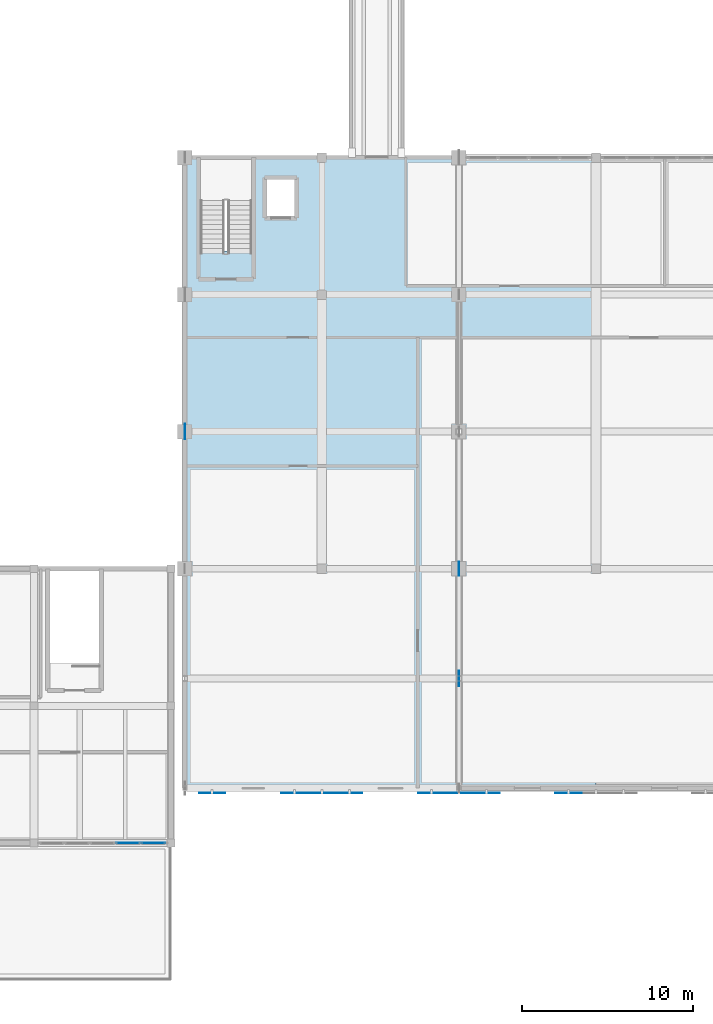
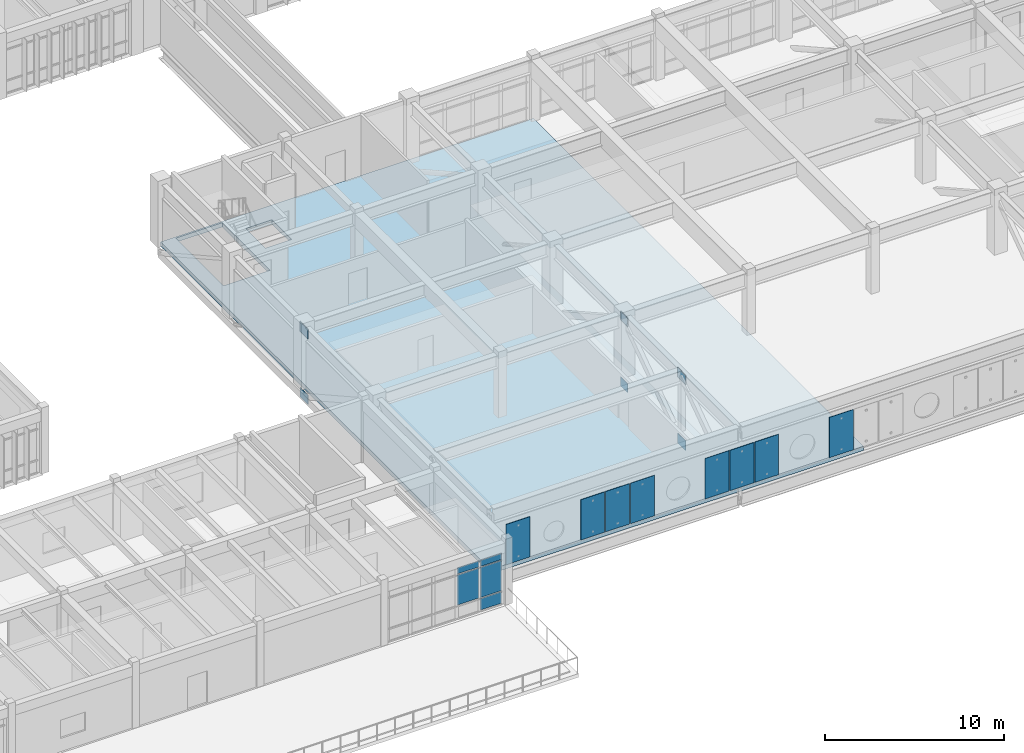
# One storey, part 35 of 79: 19 plates, 1 slab, 1 element without a shape of its own.
"""IFC4 building model written with IfcOpenShell, lengths in metres."""

from ifc_helpers import new_model, si_unit, direction, frame, origin, origin_2d, place, context, subcontext, project, spatial, polyline, rectangle, outline, extrude, material, layer, layer_set, type_object, element, aggregate, save


model = new_model("IFC4")

# Units and contexts
model_context = context("Model", 3, precision=1e-05, world=origin(), true_north=direction((0.0, 1.0)))
body_context = subcontext(model_context, "Body", "Model", "MODEL_VIEW")
ifc_project = project(units=[si_unit("LENGTHUNIT", "METRE"), si_unit("AREAUNIT", "SQUARE_METRE"), si_unit("VOLUMEUNIT", "CUBIC_METRE"), si_unit("PLANEANGLEUNIT", "RADIAN"), si_unit("MASSUNIT", "GRAM", prefix="KILO")], contexts=[model_context])

# Site, building, storey
site_placement = place(None, origin())
site = spatial("IfcSite", under=ifc_project, at=site_placement, CompositionType="ELEMENT")
building_placement = place(site_placement, origin())
building = spatial("IfcBuilding", under=site, at=building_placement, Name="Tlaxcora Railside Police Headquarters", CompositionType="ELEMENT")
storey_placement = place(building_placement, frame((0.0, 0.0, 9.0)))
storey = spatial("IfcBuildingStorey", under=building, at=storey_placement, Name="L02", CompositionType="ELEMENT", Elevation=9.0)

# Curtain wall, plates
ifc_material_1 = material(Name="Thermally broken low-E insulated glazing", Category="glass")
curtain_wall_type = type_object("IfcCurtainWallType", Name="Unitised Curtain Wall Assembly CW-23", PredefinedType="NOTDEFINED", material=ifc_material_1)
curtain_wall_placement = place(storey_placement, origin())
curtain_wall = element("IfcCurtainWall", 1, at=curtain_wall_placement, inside=storey, type_object=curtain_wall_type, Name="V4 L02 curtain wall 28", PredefinedType="NOTDEFINED")
ifc_layer_1 = layer(ifc_material_1, 0.0400390625, Name="Thermally broken low-E insulated glazing")
ifc_layer_set_1 = layer_set([ifc_layer_1], Name="Thermally broken low-E insulated glazing")
plate_type_1 = type_object("IfcPlateType", Name="Curtain Wall Infill Panel CW-17", PredefinedType="CURTAIN_PANEL", material=ifc_layer_set_1)
plate_1_placement = place(storey_placement, frame((42.68994140625, 20.0, 0.93994140625), z_axis=(0.0, 0.0, 1.0), x_axis=(1.0, 0.0, 0.0)))
plate_1 = element("IfcPlate", 2, at=plate_1_placement, type_object=plate_type_1, Name="CW panel 4.2", PredefinedType="CURTAIN_PANEL", context=body_context, shape_type="SweptSolid", body=[
    extrude(rectangle(XDim=1.409912109375, YDim=0.0400390625, at=origin_2d()), origin(), (0.0, 0.0, 1.0), 2.0400390625),
])
plate_2_placement = place(storey_placement, frame((42.68994140625, 20.0, 3.06005859375), z_axis=(0.0, 0.0, 1.0), x_axis=(1.0, 0.0, 0.0)))
plate_2 = element("IfcPlate", 3, at=plate_2_placement, type_object=plate_type_1, Name="CW panel 4.3", PredefinedType="CURTAIN_PANEL", context=body_context, shape_type="SweptSolid", body=[
    extrude(rectangle(XDim=1.409912109375, YDim=0.0400390625, at=origin_2d()), origin(), (0.0, 0.0, 1.0), 0.409912109375),
])
plate_3_placement = place(storey_placement, frame((44.159912109375, 20.0, 0.080078125), z_axis=(0.0, 0.0, 1.0), x_axis=(1.0, 0.0, 0.0)))
plate_3 = element("IfcPlate", 4, at=plate_3_placement, type_object=plate_type_1, Name="CW panel 5.1", PredefinedType="CURTAIN_PANEL", context=body_context, shape_type="SweptSolid", body=[
    extrude(rectangle(XDim=1.3701171875, YDim=0.0400390625, at=origin_2d()), origin(), (0.0, 0.0, 1.0), 0.780029296875),
])
plate_4_placement = place(storey_placement, frame((44.159912109375, 20.0, 0.93994140625), z_axis=(0.0, 0.0, 1.0), x_axis=(1.0, 0.0, 0.0)))
plate_4 = element("IfcPlate", 5, at=plate_4_placement, type_object=plate_type_1, Name="CW panel 5.2", PredefinedType="CURTAIN_PANEL", context=body_context, shape_type="SweptSolid", body=[
    extrude(rectangle(XDim=1.3701171875, YDim=0.0400390625, at=origin_2d()), origin(), (0.0, 0.0, 1.0), 2.0400390625),
])
plate_5_placement = place(storey_placement, frame((44.159912109375, 20.0, 3.06005859375), z_axis=(0.0, 0.0, 1.0), x_axis=(1.0, 0.0, 0.0)))
plate_5 = element("IfcPlate", 6, at=plate_5_placement, type_object=plate_type_1, Name="CW panel 5.3", PredefinedType="CURTAIN_PANEL", context=body_context, shape_type="SweptSolid", body=[
    extrude(rectangle(XDim=1.3701171875, YDim=0.0400390625, at=origin_2d()), origin(), (0.0, 0.0, 1.0), 0.409912109375),
])
aggregate(curtain_wall, [plate_1, plate_2, plate_3, plate_4, plate_5])

# Plates
ifc_material_2 = material(Name="Bronze-anodised perforated aluminium sheet", Category="aluminium")
ifc_layer_2 = layer(ifc_material_2, 0.02197265625, Name="Bronze-anodised perforated aluminium sheet")
ifc_layer_set_2 = layer_set([ifc_layer_2], Name="Bronze-anodised perforated aluminium sheet")
plate_type_2 = type_object("IfcPlateType", Name="Perforated Metal Screen Panel SC-25", PredefinedType="SHEET", material=ifc_layer_set_2)
for number, where, z_axis, x_axis, name in (
    (7, (47.60009765625, 22.907470703125, 0.22509765625), (0.0, 0.0, 1.0), (1.0, 0.0, 0.0), "Cosmic perforated bronze screen SCR-V2-L02-0-0"),
    (8, (52.39990234375, 22.907470703125, 0.22509765625), (0.0, 0.0, 1.0), (1.0, 0.0, 0.0), "Cosmic perforated bronze screen SCR-V2-L02-0-3"),
    (9, (54.0, 22.907470703125, 0.22509765625), (0.0, 0.0, 1.0), (1.0, 0.0, 0.0), "Cosmic perforated bronze screen SCR-V2-L02-0-4"),
    (10, (55.60009765625, 22.907470703125, 0.22509765625), (0.0, 0.0, 1.0), (1.0, 0.0, 0.0), "Cosmic perforated bronze screen SCR-V2-L02-0-5"),
    (11, (60.39990234375, 22.907470703125, 0.22509765625), (0.0, 0.0, 1.0), (1.0, 0.0, 0.0), "Cosmic perforated bronze screen SCR-V2-L02-0-8"),
    (12, (62.0, 22.907470703125, 0.22509765625), (0.0, 0.0, 1.0), (1.0, 0.0, 0.0), "Cosmic perforated bronze screen SCR-V2-L02-0-9"),
    (13, (63.60009765625, 22.907470703125, 0.22509765625), (0.0, 0.0, 1.0), (1.0, 0.0, 0.0), "Cosmic perforated bronze screen SCR-V2-L02-0-10"),
    (14, (68.39990234375, 22.907470703125, 0.22509765625), (0.0, 0.0, 1.0), (1.0, 0.0, 0.0), "Cosmic perforated bronze screen SCR-V2-L02-0-13"),
):
    element("IfcPlate", number, at=place(storey_placement, frame(where, z_axis=z_axis, x_axis=x_axis)), inside=storey, type_object=plate_type_2, Name=name, PredefinedType="SHEET", context=body_context, shape_type="SweptSolid", body=[
        extrude(rectangle(XDim=1.5400390625, YDim=0.02197265625, at=origin_2d()), origin(), (0.0, 0.0, 1.0), 2.75),
    ])
ifc_material_3 = material(Name="Steel ASTM A992 Grade 50", Category="steel")
ifc_layer_3 = layer(ifc_material_3, 0.030029296875, Name="Steel ASTM A992 Grade 50")
ifc_layer_set_3 = layer_set([ifc_layer_3], Name="Steel ASTM A992 Grade 50")
plate_type_3 = type_object("IfcPlateType", Name="Structural Gusset or Cap Plate GP-78", PredefinedType="USERDEFINED", material=ifc_layer_set_3)
for number, where, z_axis, x_axis, name in (
    (15, (62.0, 36.0, 3.39990234375), (0.0, 0.0, 1.0), (0.0, 1.0, 0.0), "Truss gusset plate KN-2-3"),
    (16, (62.0, 36.0, -1.070068359375), (0.0, 0.0, 1.0), (0.0, 1.0, 0.0), "Truss bottom-chord gusset plate KNB-2-3"),
):
    element("IfcPlate", number, at=place(storey_placement, frame(where, z_axis=z_axis, x_axis=x_axis)), inside=storey, type_object=plate_type_3, Name=name, ObjectType="GUSSET PLATE", PredefinedType="USERDEFINED", context=body_context, shape_type="SweptSolid", body=[
        extrude(rectangle(XDim=0.800048828125, YDim=0.030029296875, at=origin_2d()), origin(), (0.0, 0.0, 1.0), 0.60009765625),
    ])
ifc_layer_4 = layer(ifc_material_3, 0.031982421875, Name="Steel ASTM A992 Grade 50")
ifc_layer_set_4 = layer_set([ifc_layer_4], Name="Steel ASTM A992 Grade 50")
plate_type_4 = type_object("IfcPlateType", Name="Structural Gusset or Cap Plate GP-80", PredefinedType="USERDEFINED", material=ifc_layer_set_4)
for number, where, z_axis, x_axis, name in (
    (17, (46.0, 44.0, 3.375), (0.0, 0.0, 1.0), (0.0, 1.0, 0.0), "Truss gusset plate KN-1-2"),
    (18, (46.0, 44.0, -1.094970703125), (0.0, 0.0, 1.0), (0.0, 1.0, 0.0), "Truss bottom-chord gusset plate KNB-1-2"),
    (19, (62.0, 29.60009765625, 3.375), (0.0, 0.0, 1.0), (0.0, 1.0, 0.0), "Truss gusset plate KN-2-4"),
    (20, (62.0, 29.60009765625, -1.094970703125), (0.0, 0.0, 1.0), (0.0, 1.0, 0.0), "Truss bottom-chord gusset plate KNB-2-4"),
):
    element("IfcPlate", number, at=place(storey_placement, frame(where, z_axis=z_axis, x_axis=x_axis)), inside=storey, type_object=plate_type_4, Name=name, ObjectType="GUSSET PLATE", PredefinedType="USERDEFINED", context=body_context, shape_type="SweptSolid", body=[
        extrude(rectangle(XDim=0.89990234375, YDim=0.031982421875, at=origin_2d()), origin(), (0.0, 0.0, 1.0), 0.64990234375),
    ])

# Slab
ifc_material_4 = material(Name="Concrete C35/45", Category="concrete")
ifc_layer_5 = layer(ifc_material_4, 0.2900390625, Name="Concrete C35/45")
ifc_layer_set_5 = layer_set([ifc_layer_5], Name="Concrete C35/45")
slab_type = type_object("IfcSlabType", Name="Suspended Floor Slab SL-86", PredefinedType="FLOOR", material=ifc_layer_set_5)
slab_placement = place(storey_placement, frame((0.0, 0.0, -0.2900390625)))
element("IfcSlab", 21, at=slab_placement, inside=storey, type_object=slab_type, Name="V2 L02 floor slab zone 1", PredefinedType="FLOOR", context=body_context, shape_type="SweptSolid", body=[
    extrude(outline(polyline([(70.0, 23.199951171875), (70.0, 60.0), (46.0, 60.0), (46.0, 23.199951171875), (70.0, 23.199951171875)]), holes=[polyline([(46.909912109375, 54.550048828125), (46.909912109375, 59.889892578125), (49.909912109375, 59.889892578125), (49.909912109375, 54.550048828125), (46.909912109375, 54.550048828125)]), polyline([(50.75, 58.75), (52.449951171875, 58.75), (52.449951171875, 56.550048828125), (50.75, 56.550048828125), (50.75, 58.75)])]), origin(), (0.0, 0.0, 1.0), 0.2900390625),
])

save(model, "model.ifc")
